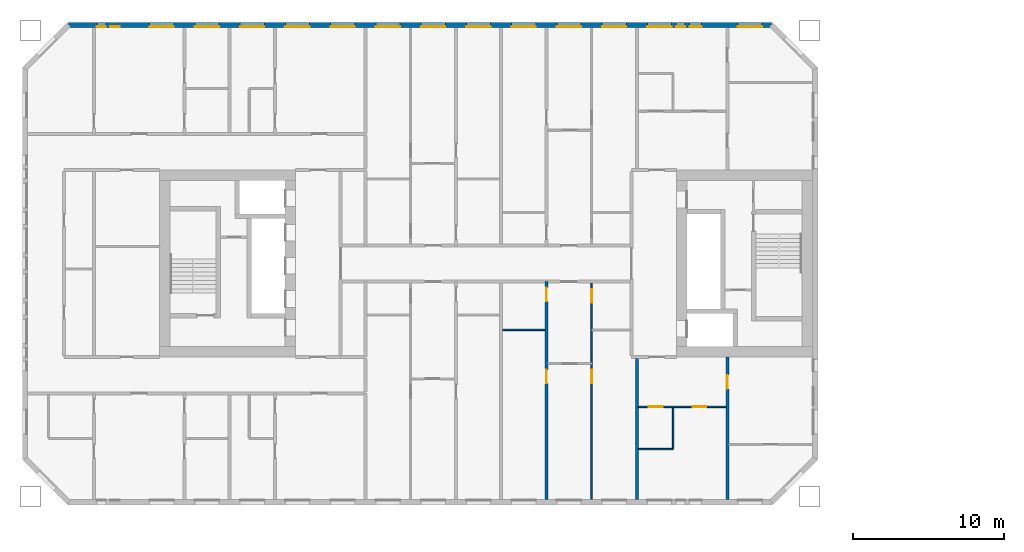
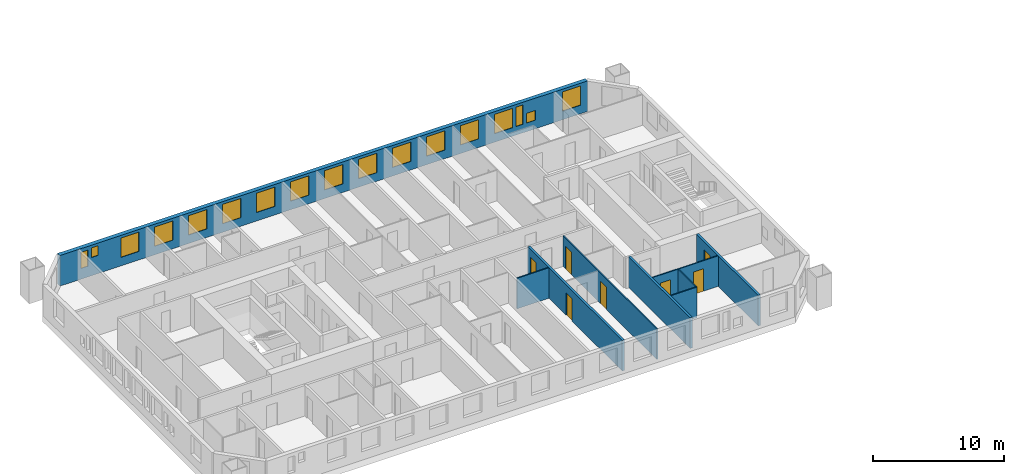
# One storey, part 6 of 17: 17 windows, 9 walls, 7 doors, 24 openings.
"""IFC4 building model written with IfcOpenShell, lengths in metres."""

from ifc_helpers import new_model, si_unit, direction, frame, frame_2d, origin, place, context, subcontext, project, spatial, rectangle, extrude, material, layer, layer_set, type_object, element, fill, save


model = new_model("IFC4")

# Units and contexts
model_context = context("Model", 3, precision=1e-05, world=origin(), true_north=direction((0.0, 1.0)))
body_context = subcontext(model_context, "Body", "Model", "MODEL_VIEW")
ifc_project = project(units=[si_unit("LENGTHUNIT", "METRE"), si_unit("AREAUNIT", "SQUARE_METRE"), si_unit("VOLUMEUNIT", "CUBIC_METRE"), si_unit("PLANEANGLEUNIT", "RADIAN"), si_unit("MASSUNIT", "GRAM", prefix="KILO")], contexts=[model_context])

# Site, building, storey
site_placement = place(None, origin())
site = spatial("IfcSite", under=ifc_project, at=site_placement, CompositionType="ELEMENT")
building_placement = place(site_placement, origin())
building = spatial("IfcBuilding", under=site, at=building_placement, Name="Tuart Gate Housing", CompositionType="ELEMENT")
storey_placement = place(building_placement, frame((0.0, 0.0, 71.60009765625)))
storey = spatial("IfcBuildingStorey", under=building, at=storey_placement, Name="L19", CompositionType="ELEMENT", Elevation=71.60009765625)

# Wall, openings, windows
ifc_material_1 = material(Name="Brick", Category="masonry")
ifc_layer_1 = layer(ifc_material_1, 0.360107421875)
ifc_layer_set_1 = layer_set([ifc_layer_1], Name="Brick pier and spandrel wall 360")
wall_type_1 = type_object("IfcWallType", Name="Brick pier and spandrel wall 360", PredefinedType="STANDARD", material=ifc_layer_set_1)
wall_1_placement = place(storey_placement, frame((72.92529296875, 85.820068359375, 0.0), z_axis=(0.0, 0.0, 1.0), x_axis=(-1.0, 0.0, 0.0)))
wall_1 = element("IfcWall", 1, at=wall_1_placement, inside=storey, type_object=wall_type_1, Name="External wall A-N L19", PredefinedType="STANDARD", context=body_context, shape_type="SweptSolid", body=[
    extrude(rectangle(XDim=46.600830078125, YDim=0.360107421875, at=frame_2d((23.30029296875, 0.0))), origin(), (0.0, 0.0, 1.0), 2.849853515625),
])
opening_1_placement = place(wall_1_placement, frame((0.62548828125, 0.0, 0.800048828125)))
opening_1 = element("IfcOpeningElement", 2, at=opening_1_placement, cuts=wall_1, Name="Opening W1", PredefinedType="OPENING", context=body_context, shape_type="SweptSolid", body=[
    extrude(rectangle(XDim=1.60009765625, YDim=1.800048828125, at=frame_2d((0.800048828125, 0.89990234375))), frame((0.0, 0.18994140625, 0.0), z_axis=(0.0, -1.0, 0.0), x_axis=(1.0, 0.0, 0.0)), (0.0, 0.0, 1.0), 0.380126953125),
])
opening_2_placement = place(wall_1_placement, frame((4.62548828125, 0.0, 0.800048828125)))
opening_2 = element("IfcOpeningElement", 3, at=opening_2_placement, cuts=wall_1, Name="Opening W1V", PredefinedType="OPENING", context=body_context, shape_type="SweptSolid", body=[
    extrude(rectangle(XDim=0.800048828125, YDim=0.89990234375, at=frame_2d((0.39990234375, 0.449951171875))), frame((0.0, 0.18994140625, 0.0), z_axis=(0.0, -1.0, 0.0), x_axis=(1.0, 0.0, 0.0)), (0.0, 0.0, 1.0), 0.380126953125),
])
opening_3_placement = place(wall_1_placement, frame((6.62548828125, 0.0, 0.800048828125)))
opening_3 = element("IfcOpeningElement", 4, at=opening_3_placement, cuts=wall_1, Name="Opening W1", PredefinedType="OPENING", context=body_context, shape_type="SweptSolid", body=[
    extrude(rectangle(XDim=1.60009765625, YDim=1.800048828125, at=frame_2d((0.800048828125, 0.89990234375))), frame((0.0, 0.18994140625, 0.0), z_axis=(0.0, -1.0, 0.0), x_axis=(1.0, 0.0, 0.0)), (0.0, 0.0, 1.0), 0.380126953125),
])
opening_4_placement = place(wall_1_placement, frame((9.62548828125, 0.0, 0.800048828125)))
opening_4 = element("IfcOpeningElement", 5, at=opening_4_placement, cuts=wall_1, Name="Opening W1", PredefinedType="OPENING", context=body_context, shape_type="SweptSolid", body=[
    extrude(rectangle(XDim=1.60009765625, YDim=1.800048828125, at=frame_2d((0.800048828125, 0.89990234375))), frame((0.0, 0.18994140625, 0.0), z_axis=(0.0, -1.0, 0.0), x_axis=(1.0, 0.0, 0.0)), (0.0, 0.0, 1.0), 0.380126953125),
])
opening_5_placement = place(wall_1_placement, frame((12.62548828125, 0.0, 0.800048828125)))
opening_5 = element("IfcOpeningElement", 6, at=opening_5_placement, cuts=wall_1, Name="Opening W1", PredefinedType="OPENING", context=body_context, shape_type="SweptSolid", body=[
    extrude(rectangle(XDim=1.60009765625, YDim=1.800048828125, at=frame_2d((0.800048828125, 0.89990234375))), frame((0.0, 0.18994140625, 0.0), z_axis=(0.0, -1.0, 0.0), x_axis=(1.0, 0.0, 0.0)), (0.0, 0.0, 1.0), 0.380126953125),
])
opening_6_placement = place(wall_1_placement, frame((15.62548828125, 0.0, 0.800048828125)))
opening_6 = element("IfcOpeningElement", 7, at=opening_6_placement, cuts=wall_1, Name="Opening W1", PredefinedType="OPENING", context=body_context, shape_type="SweptSolid", body=[
    extrude(rectangle(XDim=1.60009765625, YDim=1.800048828125, at=frame_2d((0.800048828125, 0.89990234375))), frame((0.0, 0.18994140625, 0.0), z_axis=(0.0, -1.0, 0.0), x_axis=(1.0, 0.0, 0.0)), (0.0, 0.0, 1.0), 0.380126953125),
])
opening_7_placement = place(wall_1_placement, frame((18.62548828125, 0.0, 0.800048828125)))
opening_7 = element("IfcOpeningElement", 8, at=opening_7_placement, cuts=wall_1, Name="Opening W1", PredefinedType="OPENING", context=body_context, shape_type="SweptSolid", body=[
    extrude(rectangle(XDim=1.60009765625, YDim=1.800048828125, at=frame_2d((0.800048828125, 0.89990234375))), frame((0.0, 0.18994140625, 0.0), z_axis=(0.0, -1.0, 0.0), x_axis=(1.0, 0.0, 0.0)), (0.0, 0.0, 1.0), 0.380126953125),
])
opening_8_placement = place(wall_1_placement, frame((21.62548828125, 0.0, 0.800048828125)))
opening_8 = element("IfcOpeningElement", 9, at=opening_8_placement, cuts=wall_1, Name="Opening W1", PredefinedType="OPENING", context=body_context, shape_type="SweptSolid", body=[
    extrude(rectangle(XDim=1.60009765625, YDim=1.800048828125, at=frame_2d((0.800048828125, 0.89990234375))), frame((0.0, 0.18994140625, 0.0), z_axis=(0.0, -1.0, 0.0), x_axis=(1.0, 0.0, 0.0)), (0.0, 0.0, 1.0), 0.380126953125),
])
opening_9_placement = place(wall_1_placement, frame((24.62548828125, 0.0, 0.800048828125)))
opening_9 = element("IfcOpeningElement", 10, at=opening_9_placement, cuts=wall_1, Name="Opening W1", PredefinedType="OPENING", context=body_context, shape_type="SweptSolid", body=[
    extrude(rectangle(XDim=1.60009765625, YDim=1.800048828125, at=frame_2d((0.800048828125, 0.89990234375))), frame((0.0, 0.18994140625, 0.0), z_axis=(0.0, -1.0, 0.0), x_axis=(1.0, 0.0, 0.0)), (0.0, 0.0, 1.0), 0.380126953125),
])
opening_10_placement = place(wall_1_placement, frame((27.62548828125, 0.0, 0.800048828125)))
opening_10 = element("IfcOpeningElement", 11, at=opening_10_placement, cuts=wall_1, Name="Opening W1", PredefinedType="OPENING", context=body_context, shape_type="SweptSolid", body=[
    extrude(rectangle(XDim=1.60009765625, YDim=1.800048828125, at=frame_2d((0.800048828125, 0.89990234375))), frame((0.0, 0.18994140625, 0.0), z_axis=(0.0, -1.0, 0.0), x_axis=(1.0, 0.0, 0.0)), (0.0, 0.0, 1.0), 0.380126953125),
])
opening_11_placement = place(wall_1_placement, frame((30.62548828125, 0.0, 0.800048828125)))
opening_11 = element("IfcOpeningElement", 12, at=opening_11_placement, cuts=wall_1, Name="Opening W1", PredefinedType="OPENING", context=body_context, shape_type="SweptSolid", body=[
    extrude(rectangle(XDim=1.60009765625, YDim=1.800048828125, at=frame_2d((0.800048828125, 0.89990234375))), frame((0.0, 0.18994140625, 0.0), z_axis=(0.0, -1.0, 0.0), x_axis=(1.0, 0.0, 0.0)), (0.0, 0.0, 1.0), 0.380126953125),
])
opening_12_placement = place(wall_1_placement, frame((33.62548828125, 0.0, 0.800048828125)))
opening_12 = element("IfcOpeningElement", 13, at=opening_12_placement, cuts=wall_1, Name="Opening W1", PredefinedType="OPENING", context=body_context, shape_type="SweptSolid", body=[
    extrude(rectangle(XDim=1.60009765625, YDim=1.800048828125, at=frame_2d((0.800048828125, 0.89990234375))), frame((0.0, 0.18994140625, 0.0), z_axis=(0.0, -1.0, 0.0), x_axis=(1.0, 0.0, 0.0)), (0.0, 0.0, 1.0), 0.380126953125),
])
opening_13_placement = place(wall_1_placement, frame((36.62548828125, 0.0, 0.800048828125)))
opening_13 = element("IfcOpeningElement", 14, at=opening_13_placement, cuts=wall_1, Name="Opening W1", PredefinedType="OPENING", context=body_context, shape_type="SweptSolid", body=[
    extrude(rectangle(XDim=1.60009765625, YDim=1.800048828125, at=frame_2d((0.800048828125, 0.89990234375))), frame((0.0, 0.18994140625, 0.0), z_axis=(0.0, -1.0, 0.0), x_axis=(1.0, 0.0, 0.0)), (0.0, 0.0, 1.0), 0.380126953125),
])
opening_14_placement = place(wall_1_placement, frame((39.62548828125, 0.0, 0.800048828125)))
opening_14 = element("IfcOpeningElement", 15, at=opening_14_placement, cuts=wall_1, Name="Opening W1", PredefinedType="OPENING", context=body_context, shape_type="SweptSolid", body=[
    extrude(rectangle(XDim=1.60009765625, YDim=1.800048828125, at=frame_2d((0.800048828125, 0.89990234375))), frame((0.0, 0.18994140625, 0.0), z_axis=(0.0, -1.0, 0.0), x_axis=(1.0, 0.0, 0.0)), (0.0, 0.0, 1.0), 0.380126953125),
])
opening_15_placement = place(wall_1_placement, frame((43.225341796875, 0.0, 1.699951171875)))
opening_15 = element("IfcOpeningElement", 16, at=opening_15_placement, cuts=wall_1, Name="Opening W1W", PredefinedType="OPENING", context=body_context, shape_type="SweptSolid", body=[
    extrude(rectangle(XDim=0.60009765625, YDim=0.89990234375, at=frame_2d((0.300048828125, 0.449951171875))), frame((0.0, 0.18994140625, 0.0), z_axis=(0.0, -1.0, 0.0), x_axis=(1.0, 0.0, 0.0)), (0.0, 0.0, 1.0), 0.380126953125),
])
opening_16_placement = place(wall_1_placement, frame((5.725341796875, 0.0, 0.800048828125)))
opening_16 = element("IfcOpeningElement", 17, at=opening_16_placement, cuts=wall_1, Name="Opening W1E", PredefinedType="OPENING", context=body_context, shape_type="SweptSolid", body=[
    extrude(rectangle(XDim=0.60009765625, YDim=1.800048828125, at=frame_2d((0.300048828125, 0.89990234375))), frame((0.0, 0.18994140625, 0.0), z_axis=(0.0, -1.0, 0.0), x_axis=(1.0, 0.0, 0.0)), (0.0, 0.0, 1.0), 0.380126953125),
])
opening_17_placement = place(wall_1_placement, frame((44.12548828125, 0.0, 1.0)))
opening_17 = element("IfcOpeningElement", 18, at=opening_17_placement, cuts=wall_1, Name="Opening W1K", PredefinedType="OPENING", context=body_context, shape_type="SweptSolid", body=[
    extrude(rectangle(XDim=0.60009765625, YDim=1.5, at=frame_2d((0.300048828125, 0.75))), frame((0.0, 0.18994140625, 0.0), z_axis=(0.0, -1.0, 0.0), x_axis=(1.0, 0.0, 0.0)), (0.0, 0.0, 1.0), 0.380126953125),
])
ifc_material_2 = material(Name="Aluminium frame with clear glass", Category="aluminium")
window_type_1 = type_object("IfcWindowType", Name="Punched window 1600 x 1800", PartitioningType="SINGLE_PANEL", PredefinedType="WINDOW", material=ifc_material_2)
window_1_placement = place(opening_1_placement, origin())
window_1 = element("IfcWindow", 19, at=window_1_placement, inside=storey, type_object=window_type_1, Name="Window W1", OverallHeight=1.800048828125, OverallWidth=1.60009765625, PartitioningType="SINGLE_PANEL", PredefinedType="WINDOW", context=body_context, shape_type="SweptSolid", body=[
    extrude(rectangle(XDim=1.60009765625, YDim=1.800048828125, at=frame_2d((0.800048828125, 0.89990234375))), frame((0.0, 0.150146484375, 0.0), z_axis=(0.0, -1.0, 0.0), x_axis=(1.0, 0.0, 0.0)), (0.0, 0.0, 1.0), 0.06005859375),
])
fill(opening_1, window_1)
window_2_placement = place(opening_3_placement, origin())
window_2 = element("IfcWindow", 20, at=window_2_placement, inside=storey, type_object=window_type_1, Name="Window W1", OverallHeight=1.800048828125, OverallWidth=1.60009765625, PartitioningType="SINGLE_PANEL", PredefinedType="WINDOW", context=body_context, shape_type="SweptSolid", body=[
    extrude(rectangle(XDim=1.60009765625, YDim=1.800048828125, at=frame_2d((0.800048828125, 0.89990234375))), frame((0.0, 0.150146484375, 0.0), z_axis=(0.0, -1.0, 0.0), x_axis=(1.0, 0.0, 0.0)), (0.0, 0.0, 1.0), 0.06005859375),
])
fill(opening_3, window_2)
window_3_placement = place(opening_4_placement, origin())
window_3 = element("IfcWindow", 21, at=window_3_placement, inside=storey, type_object=window_type_1, Name="Window W1", OverallHeight=1.800048828125, OverallWidth=1.60009765625, PartitioningType="SINGLE_PANEL", PredefinedType="WINDOW", context=body_context, shape_type="SweptSolid", body=[
    extrude(rectangle(XDim=1.60009765625, YDim=1.800048828125, at=frame_2d((0.800048828125, 0.89990234375))), frame((0.0, 0.150146484375, 0.0), z_axis=(0.0, -1.0, 0.0), x_axis=(1.0, 0.0, 0.0)), (0.0, 0.0, 1.0), 0.06005859375),
])
fill(opening_4, window_3)
window_4_placement = place(opening_5_placement, origin())
window_4 = element("IfcWindow", 22, at=window_4_placement, inside=storey, type_object=window_type_1, Name="Window W1", OverallHeight=1.800048828125, OverallWidth=1.60009765625, PartitioningType="SINGLE_PANEL", PredefinedType="WINDOW", context=body_context, shape_type="SweptSolid", body=[
    extrude(rectangle(XDim=1.60009765625, YDim=1.800048828125, at=frame_2d((0.800048828125, 0.89990234375))), frame((0.0, 0.150146484375, 0.0), z_axis=(0.0, -1.0, 0.0), x_axis=(1.0, 0.0, 0.0)), (0.0, 0.0, 1.0), 0.06005859375),
])
fill(opening_5, window_4)
window_5_placement = place(opening_6_placement, origin())
window_5 = element("IfcWindow", 23, at=window_5_placement, inside=storey, type_object=window_type_1, Name="Window W1", OverallHeight=1.800048828125, OverallWidth=1.60009765625, PartitioningType="SINGLE_PANEL", PredefinedType="WINDOW", context=body_context, shape_type="SweptSolid", body=[
    extrude(rectangle(XDim=1.60009765625, YDim=1.800048828125, at=frame_2d((0.800048828125, 0.89990234375))), frame((0.0, 0.150146484375, 0.0), z_axis=(0.0, -1.0, 0.0), x_axis=(1.0, 0.0, 0.0)), (0.0, 0.0, 1.0), 0.06005859375),
])
fill(opening_6, window_5)
window_6_placement = place(opening_7_placement, origin())
window_6 = element("IfcWindow", 24, at=window_6_placement, inside=storey, type_object=window_type_1, Name="Window W1", OverallHeight=1.800048828125, OverallWidth=1.60009765625, PartitioningType="SINGLE_PANEL", PredefinedType="WINDOW", context=body_context, shape_type="SweptSolid", body=[
    extrude(rectangle(XDim=1.60009765625, YDim=1.800048828125, at=frame_2d((0.800048828125, 0.89990234375))), frame((0.0, 0.150146484375, 0.0), z_axis=(0.0, -1.0, 0.0), x_axis=(1.0, 0.0, 0.0)), (0.0, 0.0, 1.0), 0.06005859375),
])
fill(opening_7, window_6)
window_7_placement = place(opening_8_placement, origin())
window_7 = element("IfcWindow", 25, at=window_7_placement, inside=storey, type_object=window_type_1, Name="Window W1", OverallHeight=1.800048828125, OverallWidth=1.60009765625, PartitioningType="SINGLE_PANEL", PredefinedType="WINDOW", context=body_context, shape_type="SweptSolid", body=[
    extrude(rectangle(XDim=1.60009765625, YDim=1.800048828125, at=frame_2d((0.800048828125, 0.89990234375))), frame((0.0, 0.150146484375, 0.0), z_axis=(0.0, -1.0, 0.0), x_axis=(1.0, 0.0, 0.0)), (0.0, 0.0, 1.0), 0.06005859375),
])
fill(opening_8, window_7)
window_8_placement = place(opening_9_placement, origin())
window_8 = element("IfcWindow", 26, at=window_8_placement, inside=storey, type_object=window_type_1, Name="Window W1", OverallHeight=1.800048828125, OverallWidth=1.60009765625, PartitioningType="SINGLE_PANEL", PredefinedType="WINDOW", context=body_context, shape_type="SweptSolid", body=[
    extrude(rectangle(XDim=1.60009765625, YDim=1.800048828125, at=frame_2d((0.800048828125, 0.89990234375))), frame((0.0, 0.150146484375, 0.0), z_axis=(0.0, -1.0, 0.0), x_axis=(1.0, 0.0, 0.0)), (0.0, 0.0, 1.0), 0.06005859375),
])
fill(opening_9, window_8)
window_9_placement = place(opening_10_placement, origin())
window_9 = element("IfcWindow", 27, at=window_9_placement, inside=storey, type_object=window_type_1, Name="Window W1", OverallHeight=1.800048828125, OverallWidth=1.60009765625, PartitioningType="SINGLE_PANEL", PredefinedType="WINDOW", context=body_context, shape_type="SweptSolid", body=[
    extrude(rectangle(XDim=1.60009765625, YDim=1.800048828125, at=frame_2d((0.800048828125, 0.89990234375))), frame((0.0, 0.150146484375, 0.0), z_axis=(0.0, -1.0, 0.0), x_axis=(1.0, 0.0, 0.0)), (0.0, 0.0, 1.0), 0.06005859375),
])
fill(opening_10, window_9)
window_10_placement = place(opening_11_placement, origin())
window_10 = element("IfcWindow", 28, at=window_10_placement, inside=storey, type_object=window_type_1, Name="Window W1", OverallHeight=1.800048828125, OverallWidth=1.60009765625, PartitioningType="SINGLE_PANEL", PredefinedType="WINDOW", context=body_context, shape_type="SweptSolid", body=[
    extrude(rectangle(XDim=1.60009765625, YDim=1.800048828125, at=frame_2d((0.800048828125, 0.89990234375))), frame((0.0, 0.150146484375, 0.0), z_axis=(0.0, -1.0, 0.0), x_axis=(1.0, 0.0, 0.0)), (0.0, 0.0, 1.0), 0.06005859375),
])
fill(opening_11, window_10)
window_11_placement = place(opening_12_placement, origin())
window_11 = element("IfcWindow", 29, at=window_11_placement, inside=storey, type_object=window_type_1, Name="Window W1", OverallHeight=1.800048828125, OverallWidth=1.60009765625, PartitioningType="SINGLE_PANEL", PredefinedType="WINDOW", context=body_context, shape_type="SweptSolid", body=[
    extrude(rectangle(XDim=1.60009765625, YDim=1.800048828125, at=frame_2d((0.800048828125, 0.89990234375))), frame((0.0, 0.150146484375, 0.0), z_axis=(0.0, -1.0, 0.0), x_axis=(1.0, 0.0, 0.0)), (0.0, 0.0, 1.0), 0.06005859375),
])
fill(opening_12, window_11)
window_12_placement = place(opening_13_placement, origin())
window_12 = element("IfcWindow", 30, at=window_12_placement, inside=storey, type_object=window_type_1, Name="Window W1", OverallHeight=1.800048828125, OverallWidth=1.60009765625, PartitioningType="SINGLE_PANEL", PredefinedType="WINDOW", context=body_context, shape_type="SweptSolid", body=[
    extrude(rectangle(XDim=1.60009765625, YDim=1.800048828125, at=frame_2d((0.800048828125, 0.89990234375))), frame((0.0, 0.150146484375, 0.0), z_axis=(0.0, -1.0, 0.0), x_axis=(1.0, 0.0, 0.0)), (0.0, 0.0, 1.0), 0.06005859375),
])
fill(opening_13, window_12)
window_13_placement = place(opening_14_placement, origin())
window_13 = element("IfcWindow", 31, at=window_13_placement, inside=storey, type_object=window_type_1, Name="Window W1", OverallHeight=1.800048828125, OverallWidth=1.60009765625, PartitioningType="SINGLE_PANEL", PredefinedType="WINDOW", context=body_context, shape_type="SweptSolid", body=[
    extrude(rectangle(XDim=1.60009765625, YDim=1.800048828125, at=frame_2d((0.800048828125, 0.89990234375))), frame((0.0, 0.150146484375, 0.0), z_axis=(0.0, -1.0, 0.0), x_axis=(1.0, 0.0, 0.0)), (0.0, 0.0, 1.0), 0.06005859375),
])
fill(opening_14, window_13)
ifc_material_3 = material(Name="Aluminium frame with clear glass", Category="aluminium")
window_type_2 = type_object("IfcWindowType", Name="Punched window 600 x 1500", PartitioningType="SINGLE_PANEL", PredefinedType="WINDOW", material=ifc_material_3)
window_14_placement = place(opening_17_placement, origin())
window_14 = element("IfcWindow", 32, at=window_14_placement, inside=storey, type_object=window_type_2, Name="Window W1K", OverallHeight=1.5, OverallWidth=0.60009765625, PartitioningType="SINGLE_PANEL", PredefinedType="WINDOW", context=body_context, shape_type="SweptSolid", body=[
    extrude(rectangle(XDim=0.60009765625, YDim=1.5, at=frame_2d((0.300048828125, 0.75))), frame((0.0, 0.150146484375, 0.0), z_axis=(0.0, -1.0, 0.0), x_axis=(1.0, 0.0, 0.0)), (0.0, 0.0, 1.0), 0.06005859375),
])
fill(opening_17, window_14)
ifc_material_4 = material(Name="Aluminium frame with clear glass", Category="aluminium")
window_type_3 = type_object("IfcWindowType", Name="Punched window 600 x 1800", PartitioningType="SINGLE_PANEL", PredefinedType="WINDOW", material=ifc_material_4)
window_15_placement = place(opening_16_placement, origin())
window_15 = element("IfcWindow", 33, at=window_15_placement, inside=storey, type_object=window_type_3, Name="Window W1E", OverallHeight=1.800048828125, OverallWidth=0.60009765625, PartitioningType="SINGLE_PANEL", PredefinedType="WINDOW", context=body_context, shape_type="SweptSolid", body=[
    extrude(rectangle(XDim=0.60009765625, YDim=1.800048828125, at=frame_2d((0.300048828125, 0.89990234375))), frame((0.0, 0.150146484375, 0.0), z_axis=(0.0, -1.0, 0.0), x_axis=(1.0, 0.0, 0.0)), (0.0, 0.0, 1.0), 0.06005859375),
])
fill(opening_16, window_15)
ifc_material_5 = material(Name="Aluminium frame with clear glass", Category="aluminium")
window_type_4 = type_object("IfcWindowType", Name="Punched window 600 x 900", PartitioningType="SINGLE_PANEL", PredefinedType="WINDOW", material=ifc_material_5)
window_16_placement = place(opening_15_placement, origin())
window_16 = element("IfcWindow", 34, at=window_16_placement, inside=storey, type_object=window_type_4, Name="Window W1W", OverallHeight=0.89990234375, OverallWidth=0.60009765625, PartitioningType="SINGLE_PANEL", PredefinedType="WINDOW", context=body_context, shape_type="SweptSolid", body=[
    extrude(rectangle(XDim=0.60009765625, YDim=0.89990234375, at=frame_2d((0.300048828125, 0.449951171875))), frame((0.0, 0.150146484375, 0.0), z_axis=(0.0, -1.0, 0.0), x_axis=(1.0, 0.0, 0.0)), (0.0, 0.0, 1.0), 0.06005859375),
])
fill(opening_15, window_16)
ifc_material_6 = material(Name="Aluminium frame with clear glass", Category="aluminium")
window_type_5 = type_object("IfcWindowType", Name="Punched window 800 x 900", PartitioningType="SINGLE_PANEL", PredefinedType="WINDOW", material=ifc_material_6)
window_17_placement = place(opening_2_placement, origin())
window_17 = element("IfcWindow", 35, at=window_17_placement, inside=storey, type_object=window_type_5, Name="Window W1V", OverallHeight=0.89990234375, OverallWidth=0.800048828125, PartitioningType="SINGLE_PANEL", PredefinedType="WINDOW", context=body_context, shape_type="SweptSolid", body=[
    extrude(rectangle(XDim=0.800048828125, YDim=0.89990234375, at=frame_2d((0.39990234375, 0.449951171875))), frame((0.0, 0.150146484375, 0.0), z_axis=(0.0, -1.0, 0.0), x_axis=(1.0, 0.0, 0.0)), (0.0, 0.0, 1.0), 0.06005859375),
])
fill(opening_2, window_17)

# Wall
ifc_material_7 = material(Name="Gypsum board on steel studs", Category="steel")
ifc_layer_2 = layer(ifc_material_7, 0.10009765625)
ifc_layer_set_2 = layer_set([ifc_layer_2], Name="Partition 100")
wall_type_2 = type_object("IfcWallType", Name="Partition 100", PredefinedType="PARTITIONING", material=ifc_layer_set_2)
wall_2_placement = place(storey_placement, frame((64.10009765625, 57.699951171875, 0.0), z_axis=(0.0, 0.0, 1.0), x_axis=(1.0, 0.0, 0.0)))
element("IfcWall", 36, at=wall_2_placement, inside=storey, type_object=wall_type_2, Name="Partition 100", PredefinedType="PARTITIONING", context=body_context, shape_type="SweptSolid", body=[
    extrude(rectangle(XDim=2.2998046875, YDim=0.10009765625, at=frame_2d((1.14990234375, 0.0))), origin(), (0.0, 0.0, 1.0), 2.849853515625),
])

# Wall, openings, doors
wall_3_placement = place(storey_placement, frame((64.10009765625, 60.5, 0.0), z_axis=(0.0, 0.0, 1.0), x_axis=(1.0, 0.0, 0.0)))
wall_3 = element("IfcWall", 37, at=wall_3_placement, inside=storey, type_object=wall_type_2, Name="Partition 100", PredefinedType="PARTITIONING", context=body_context, shape_type="SweptSolid", body=[
    extrude(rectangle(XDim=5.7998046875, YDim=0.10009765625, at=frame_2d((2.89990234375, 0.0))), origin(), (0.0, 0.0, 1.0), 2.849853515625),
])
opening_18_placement = place(wall_3_placement, frame((3.60009765625, 0.0, 0.0)))
opening_18 = element("IfcOpeningElement", 38, at=opening_18_placement, cuts=wall_3, Name="Opening D888", PredefinedType="OPENING", context=body_context, shape_type="SweptSolid", body=[
    extrude(rectangle(XDim=0.89990234375, YDim=2.10009765625, at=frame_2d((0.449951171875, 1.050048828125))), frame((0.0, 0.06005859375, 0.0), z_axis=(0.0, -1.0, 0.0), x_axis=(1.0, 0.0, 0.0)), (0.0, 0.0, 1.0), 0.1201171875),
])
opening_19_placement = place(wall_3_placement, frame((0.699951171875, 0.0, 0.0)))
opening_19 = element("IfcOpeningElement", 39, at=opening_19_placement, cuts=wall_3, Name="Opening D887", PredefinedType="OPENING", context=body_context, shape_type="SweptSolid", body=[
    extrude(rectangle(XDim=0.89990234375, YDim=2.10009765625, at=frame_2d((0.449951171875, 1.050048828125))), frame((0.0, 0.06005859375, 0.0), z_axis=(0.0, -1.0, 0.0), x_axis=(1.0, 0.0, 0.0)), (0.0, 0.0, 1.0), 0.1201171875),
])
ifc_material_8 = material(Name="Timber door leaf in steel frame", Category="steel")
door_type_1 = type_object("IfcDoorType", Name="Bathroom door 900", OperationType="SINGLE_SWING_LEFT", PredefinedType="DOOR", material=ifc_material_8)
door_1_placement = place(opening_19_placement, frame((0.89990234375, 0.0, 0.0), z_axis=(0.0, 0.0, 1.0), x_axis=(-1.0, 0.0, 0.0)))
door_1 = element("IfcDoor", 40, at=door_1_placement, inside=storey, type_object=door_type_1, Name="Bathroom door", OperationType="SINGLE_SWING_LEFT", OverallHeight=2.10009765625, OverallWidth=0.89990234375, PredefinedType="DOOR", context=body_context, shape_type="SweptSolid", body=[
    extrude(rectangle(XDim=0.89990234375, YDim=2.10009765625, at=frame_2d((0.449951171875, 1.050048828125))), frame((0.0, 0.025146484375, 0.0), z_axis=(0.0, -1.0, 0.0), x_axis=(1.0, 0.0, 0.0)), (0.0, 0.0, 1.0), 0.050048828125),
])
fill(opening_19, door_1)
ifc_material_9 = material(Name="Timber door leaf in steel frame", Category="steel")
door_type_2 = type_object("IfcDoorType", Name="Internal door 900 RH", OperationType="SINGLE_SWING_RIGHT", PredefinedType="DOOR", material=ifc_material_9)
door_2_placement = place(opening_18_placement, frame((0.89990234375, 0.0, 0.0), z_axis=(0.0, 0.0, 1.0), x_axis=(-1.0, 0.0, 0.0)))
door_2 = element("IfcDoor", 41, at=door_2_placement, inside=storey, type_object=door_type_2, Name="Internal door", OperationType="SINGLE_SWING_RIGHT", OverallHeight=2.10009765625, OverallWidth=0.89990234375, PredefinedType="DOOR", context=body_context, shape_type="SweptSolid", body=[
    extrude(rectangle(XDim=0.89990234375, YDim=2.10009765625, at=frame_2d((0.449951171875, 1.050048828125))), frame((0.0, 0.025146484375, 0.0), z_axis=(0.0, -1.0, 0.0), x_axis=(1.0, 0.0, 0.0)), (0.0, 0.0, 1.0), 0.050048828125),
])
fill(opening_18, door_2)

# Wall
wall_4_placement = place(storey_placement, frame((55.10009765625, 65.60009765625, 0.0), z_axis=(0.0, 0.0, 1.0), x_axis=(1.0, 0.0, 0.0)))
element("IfcWall", 42, at=wall_4_placement, inside=storey, type_object=wall_type_2, Name="Partition 100", PredefinedType="PARTITIONING", context=body_context, shape_type="SweptSolid", body=[
    extrude(rectangle(XDim=2.7998046875, YDim=0.10009765625, at=frame_2d((1.39990234375, 0.0))), origin(), (0.0, 0.0, 1.0), 2.849853515625),
])

# Wall, openings, doors
wall_5_placement = place(storey_placement, frame((61.0, 54.360107421875, 0.0), z_axis=(0.0, 0.0, 1.0), x_axis=(0.0, 1.0, 0.0)))
wall_5 = element("IfcWall", 43, at=wall_5_placement, inside=storey, type_object=wall_type_2, Name="Partition 100", PredefinedType="PARTITIONING", context=body_context, shape_type="SweptSolid", body=[
    extrude(rectangle(XDim=14.33984375, YDim=0.10009765625, at=frame_2d((7.169921875, 0.0))), origin(), (0.0, 0.0, 1.0), 2.849853515625),
])
opening_20_placement = place(wall_5_placement, frame((7.699951171875, 0.0, 0.0)))
opening_20 = element("IfcOpeningElement", 44, at=opening_20_placement, cuts=wall_5, Name="Opening D884", PredefinedType="OPENING", context=body_context, shape_type="SweptSolid", body=[
    extrude(rectangle(XDim=0.89990234375, YDim=2.10009765625, at=frame_2d((0.449951171875, 1.050048828125))), frame((0.0, 0.06005859375, 0.0), z_axis=(0.0, -1.0, 0.0), x_axis=(1.0, 0.0, 0.0)), (0.0, 0.0, 1.0), 0.1201171875),
])
opening_21_placement = place(wall_5_placement, frame((13.0400390625, 0.0, 0.0)))
opening_21 = element("IfcOpeningElement", 45, at=opening_21_placement, cuts=wall_5, Name="Opening D883", PredefinedType="OPENING", context=body_context, shape_type="SweptSolid", body=[
    extrude(rectangle(XDim=0.89990234375, YDim=2.10009765625, at=frame_2d((0.449951171875, 1.050048828125))), frame((0.0, 0.06005859375, 0.0), z_axis=(0.0, -1.0, 0.0), x_axis=(1.0, 0.0, 0.0)), (0.0, 0.0, 1.0), 0.1201171875),
])
door_3_placement = place(opening_21_placement, frame((0.89990234375, 0.0, 0.0), z_axis=(0.0, 0.0, 1.0), x_axis=(-1.0, 0.0, 0.0)))
door_3 = element("IfcDoor", 46, at=door_3_placement, inside=storey, type_object=door_type_1, Name="Bathroom door", OperationType="SINGLE_SWING_LEFT", OverallHeight=2.10009765625, OverallWidth=0.89990234375, PredefinedType="DOOR", context=body_context, shape_type="SweptSolid", body=[
    extrude(rectangle(XDim=0.89990234375, YDim=2.10009765625, at=frame_2d((0.449951171875, 1.050048828125))), frame((0.0, 0.025146484375, 0.0), z_axis=(0.0, -1.0, 0.0), x_axis=(1.0, 0.0, 0.0)), (0.0, 0.0, 1.0), 0.050048828125),
])
fill(opening_21, door_3)
ifc_material_10 = material(Name="Timber door leaf in steel frame", Category="steel")
door_type_3 = type_object("IfcDoorType", Name="Internal door 900", OperationType="SINGLE_SWING_LEFT", PredefinedType="DOOR", material=ifc_material_10)
door_4_placement = place(opening_20_placement, frame((0.89990234375, 0.0, 0.0), z_axis=(0.0, 0.0, 1.0), x_axis=(-1.0, 0.0, 0.0)))
door_4 = element("IfcDoor", 47, at=door_4_placement, inside=storey, type_object=door_type_3, Name="Internal door", OperationType="SINGLE_SWING_LEFT", OverallHeight=2.10009765625, OverallWidth=0.89990234375, PredefinedType="DOOR", context=body_context, shape_type="SweptSolid", body=[
    extrude(rectangle(XDim=0.89990234375, YDim=2.10009765625, at=frame_2d((0.449951171875, 1.050048828125))), frame((0.0, 0.025146484375, 0.0), z_axis=(0.0, -1.0, 0.0), x_axis=(1.0, 0.0, 0.0)), (0.0, 0.0, 1.0), 0.050048828125),
])
fill(opening_20, door_4)

# Wall
wall_6_placement = place(storey_placement, frame((66.39990234375, 57.75, 0.0), z_axis=(0.0, 0.0, 1.0), x_axis=(0.0, 1.0, 0.0)))
element("IfcWall", 48, at=wall_6_placement, inside=storey, type_object=wall_type_2, Name="Partition 100", PredefinedType="PARTITIONING", context=body_context, shape_type="SweptSolid", body=[
    extrude(rectangle(XDim=2.699951171875, YDim=0.10009765625, at=frame_2d((1.35009765625, 0.0))), origin(), (0.0, 0.0, 1.0), 2.849853515625),
])

# Wall, openings, doors
ifc_material_11 = material(Name="Concrete C40", Category="concrete")
ifc_layer_3 = layer(ifc_material_11, 0.199951171875)
ifc_layer_set_3 = layer_set([ifc_layer_3], Name="Party wall concrete C40 200")
wall_type_3 = type_object("IfcWallType", Name="Party wall concrete C40 200", PredefinedType="SOLIDWALL", material=ifc_layer_set_3)
wall_7_placement = place(storey_placement, frame((58.0, 54.360107421875, 0.0), z_axis=(0.0, 0.0, 1.0), x_axis=(0.0, 1.0, 0.0)))
wall_7 = element("IfcWall", 49, at=wall_7_placement, inside=storey, type_object=wall_type_3, Name="Party wall concrete C40 200", PredefinedType="SOLIDWALL", context=body_context, shape_type="SweptSolid", body=[
    extrude(rectangle(XDim=14.43994140625, YDim=0.199951171875, at=frame_2d((7.219970703125, 0.0))), origin(), (0.0, 0.0, 1.0), 2.849853515625),
])
opening_22_placement = place(wall_7_placement, frame((7.699951171875, 0.0, 0.0)))
opening_22 = element("IfcOpeningElement", 50, at=opening_22_placement, cuts=wall_7, Name="Opening D880", PredefinedType="OPENING", context=body_context, shape_type="SweptSolid", body=[
    extrude(rectangle(XDim=0.89990234375, YDim=2.10009765625, at=frame_2d((0.449951171875, 1.050048828125))), frame((0.0, 0.10986328125, 0.0), z_axis=(0.0, -1.0, 0.0), x_axis=(1.0, 0.0, 0.0)), (0.0, 0.0, 1.0), 0.219970703125),
])
opening_23_placement = place(wall_7_placement, frame((13.139892578125, 0.0, 0.0)))
opening_23 = element("IfcOpeningElement", 51, at=opening_23_placement, cuts=wall_7, Name="Opening D879", PredefinedType="OPENING", context=body_context, shape_type="SweptSolid", body=[
    extrude(rectangle(XDim=0.89990234375, YDim=2.10009765625, at=frame_2d((0.449951171875, 1.050048828125))), frame((0.0, 0.10986328125, 0.0), z_axis=(0.0, -1.0, 0.0), x_axis=(1.0, 0.0, 0.0)), (0.0, 0.0, 1.0), 0.219970703125),
])
ifc_material_12 = material(Name="Timber door leaf in steel frame", Category="steel")
door_type_4 = type_object("IfcDoorType", Name="Bathroom door 900 RH", OperationType="SINGLE_SWING_RIGHT", PredefinedType="DOOR", material=ifc_material_12)
door_5_placement = place(opening_23_placement, origin())
door_5 = element("IfcDoor", 52, at=door_5_placement, inside=storey, type_object=door_type_4, Name="Bathroom door", OperationType="SINGLE_SWING_RIGHT", OverallHeight=2.10009765625, OverallWidth=0.89990234375, PredefinedType="DOOR", context=body_context, shape_type="SweptSolid", body=[
    extrude(rectangle(XDim=0.89990234375, YDim=2.10009765625, at=frame_2d((0.449951171875, 1.050048828125))), frame((0.0, 0.02490234375, 0.0), z_axis=(0.0, -1.0, 0.0), x_axis=(1.0, 0.0, 0.0)), (0.0, 0.0, 1.0), 0.050048828125),
])
fill(opening_23, door_5)
door_6_placement = place(opening_22_placement, origin())
door_6 = element("IfcDoor", 53, at=door_6_placement, inside=storey, type_object=door_type_2, Name="Internal door", OperationType="SINGLE_SWING_RIGHT", OverallHeight=2.10009765625, OverallWidth=0.89990234375, PredefinedType="DOOR", context=body_context, shape_type="SweptSolid", body=[
    extrude(rectangle(XDim=0.89990234375, YDim=2.10009765625, at=frame_2d((0.449951171875, 1.050048828125))), frame((0.0, 0.02490234375, 0.0), z_axis=(0.0, -1.0, 0.0), x_axis=(1.0, 0.0, 0.0)), (0.0, 0.0, 1.0), 0.050048828125),
])
fill(opening_22, door_6)

# Wall
wall_8_placement = place(storey_placement, frame((64.0, 54.360107421875, 0.0), z_axis=(0.0, 0.0, 1.0), x_axis=(0.0, 1.0, 0.0)))
element("IfcWall", 54, at=wall_8_placement, inside=storey, type_object=wall_type_3, Name="Party wall concrete C40 200", PredefinedType="SOLIDWALL", context=body_context, shape_type="SweptSolid", body=[
    extrude(rectangle(XDim=9.43994140625, YDim=0.199951171875, at=frame_2d((4.719970703125, 0.0))), origin(), (0.0, 0.0, 1.0), 2.849853515625),
])

# Wall, opening, door
wall_9_placement = place(storey_placement, frame((70.0, 54.360107421875, 0.0), z_axis=(0.0, 0.0, 1.0), x_axis=(0.0, 1.0, 0.0)))
wall_9 = element("IfcWall", 55, at=wall_9_placement, inside=storey, type_object=wall_type_3, Name="Party wall concrete C40 200", PredefinedType="SOLIDWALL", context=body_context, shape_type="SweptSolid", body=[
    extrude(rectangle(XDim=9.43994140625, YDim=0.199951171875, at=frame_2d((4.719970703125, 0.0))), origin(), (0.0, 0.0, 1.0), 2.849853515625),
])
opening_24_placement = place(wall_9_placement, frame((7.340087890625, 0.0, 0.0)))
opening_24 = element("IfcOpeningElement", 56, at=opening_24_placement, cuts=wall_9, Name="Opening D889", PredefinedType="OPENING", context=body_context, shape_type="SweptSolid", body=[
    extrude(rectangle(XDim=0.89990234375, YDim=2.10009765625, at=frame_2d((0.449951171875, 1.050048828125))), frame((0.0, 0.10986328125, 0.0), z_axis=(0.0, -1.0, 0.0), x_axis=(1.0, 0.0, 0.0)), (0.0, 0.0, 1.0), 0.219970703125),
])
door_7_placement = place(opening_24_placement, origin())
door_7 = element("IfcDoor", 57, at=door_7_placement, inside=storey, type_object=door_type_3, Name="Internal door", OperationType="SINGLE_SWING_LEFT", OverallHeight=2.10009765625, OverallWidth=0.89990234375, PredefinedType="DOOR", context=body_context, shape_type="SweptSolid", body=[
    extrude(rectangle(XDim=0.89990234375, YDim=2.10009765625, at=frame_2d((0.449951171875, 1.050048828125))), frame((0.0, 0.02490234375, 0.0), z_axis=(0.0, -1.0, 0.0), x_axis=(1.0, 0.0, 0.0)), (0.0, 0.0, 1.0), 0.050048828125),
])
fill(opening_24, door_7)

save(model, "model.ifc")
